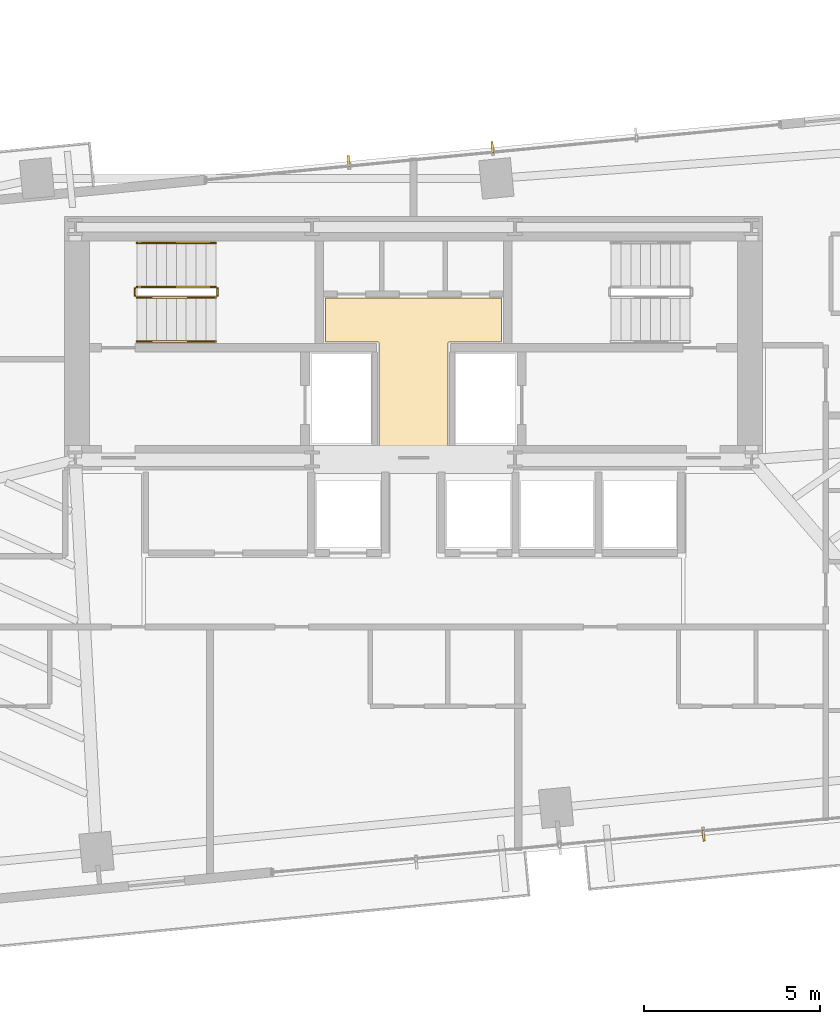
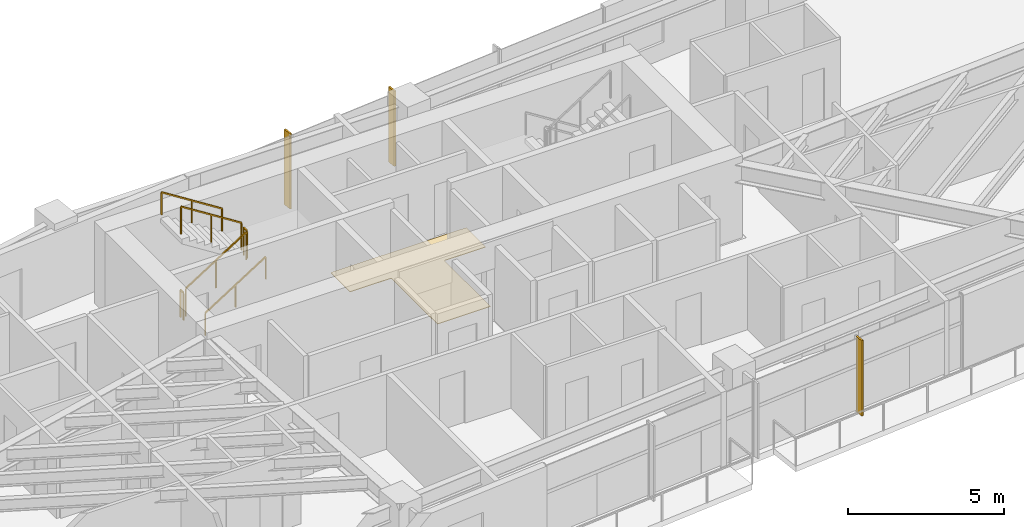
# One storey, part 26 of 27: 6 railings, 3 shading devices, 1 covering.
"""IFC4 building model written with IfcOpenShell, lengths in metres."""

from ifc_helpers import new_model, si_unit, direction, frame, origin, origin_2d, place, context, subcontext, project, spatial, polyline, rectangle, outline, extrude, source, transform, mapped, material, layer, layer_set, type_object, type_shapes, element, save


model = new_model("IFC4")

# Units and contexts
model_context = context("Model", 3, precision=1e-05, world=origin(), true_north=direction((0.0, 1.0)))
body_context = subcontext(model_context, "Body", "Model", "MODEL_VIEW")
ifc_project = project(units=[si_unit("LENGTHUNIT", "METRE"), si_unit("AREAUNIT", "SQUARE_METRE"), si_unit("VOLUMEUNIT", "CUBIC_METRE"), si_unit("PLANEANGLEUNIT", "RADIAN"), si_unit("MASSUNIT", "GRAM", prefix="KILO")], contexts=[model_context])

# Site, building, storey
site_placement = place(None, origin())
site = spatial("IfcSite", under=ifc_project, at=site_placement, CompositionType="ELEMENT")
building_placement = place(site_placement, origin())
building = spatial("IfcBuilding", under=site, at=building_placement, Name="Astriad Promenade Condominiums", CompositionType="ELEMENT")
storey_placement = place(building_placement, frame((0.0, 0.0, 109.800048828125)))
storey = spatial("IfcBuildingStorey", under=building, at=storey_placement, Name="L31", CompositionType="ELEMENT", Elevation=109.800048828125)

# Covering
ifc_material_1 = material(Name="Polished Lakefront Terrazzo Flooring")
ifc_layer = layer(ifc_material_1, 0.02001953125)
ifc_layer_set = layer_set([ifc_layer], Name="Polished Lakefront Terrazzo Flooring")
covering_type = type_object("IfcCoveringType", Name="COV-FLOR-TERRAZZO-20", PredefinedType="FLOORING", material=ifc_layer_set)
covering_placement = place(storey_placement, origin())
element("IfcCovering", 1, at=covering_placement, inside=storey, type_object=covering_type, Name="FLR-L31-CSL", PredefinedType="FLOORING", context=body_context, shape_type="SweptSolid", body=[
    extrude(outline(polyline([(36.97998046875, 20.699951171875), (36.97998046875, 17.7900390625), (35.02001953125, 17.7900390625), (35.02001953125, 20.699951171875), (35.019775390625, 20.703857421875), (35.019287109375, 20.707763671875), (35.018310546875, 20.711669921875), (35.01708984375, 20.71533203125), (35.015380859375, 20.718994140625), (35.01318359375, 20.72216796875), (35.010986328125, 20.725341796875), (35.00830078125, 20.728271484375), (35.00537109375, 20.73095703125), (35.002197265625, 20.7333984375), (34.998779296875, 20.7353515625), (34.995361328125, 20.737060546875), (34.99169921875, 20.73828125), (34.98779296875, 20.7392578125), (34.98388671875, 20.73974609375), (34.97998046875, 20.739990234375), (33.5, 20.739990234375), (33.5, 21.97998046875), (38.5, 21.97998046875), (38.5, 20.739990234375), (37.02001953125, 20.739990234375), (37.01611328125, 20.73974609375), (37.01220703125, 20.7392578125), (37.00830078125, 20.73828125), (37.004638671875, 20.737060546875), (37.001220703125, 20.7353515625), (36.997802734375, 20.7333984375), (36.99462890625, 20.73095703125), (36.99169921875, 20.728271484375), (36.989013671875, 20.725341796875), (36.98681640625, 20.72216796875), (36.984619140625, 20.718994140625), (36.98291015625, 20.71533203125), (36.981689453125, 20.711669921875), (36.980712890625, 20.707763671875), (36.980224609375, 20.703857421875), (36.97998046875, 20.699951171875)])), origin(), (0.0, 0.0, 1.0), 0.02001953125),
])

# Shading devices
ifc_material_2 = material(Name="Anodised aluminium 6063-T6 Black Fin", Category="aluminium")
shading_device_type = type_object("IfcShadingDeviceType", Name="FIN-BLACK-320", PredefinedType="USERDEFINED", material=ifc_material_2)
shared_shape_1 = source(origin(), body_context, "Body", "SweptSolid", [
    extrude(rectangle(XDim=0.06494140625, YDim=0.320068359375, at=origin_2d()), origin(), (0.0, 0.0, 1.0), 2.93994140625),
])
type_shapes(shading_device_type, [shared_shape_1])
for number, where, z_axis, x_axis, name in (
    (2, (34.164306640625, 25.87158203125, 0.0), (0.0, 0.0, 1.0), (0.995396198367, 0.09584575252, 0.0), "CW-L31-N-FIN-01"),
    (3, (38.240478515625, 26.263916015625, 0.0), (0.0, 0.0, 1.0), (0.995396198367, 0.09584575252, 0.0), "CW-L31-N-FIN-02"),
    (4, (44.235595703125, 6.728515625, 0.0), (0.0, 0.0, 1.0), (-0.995396198367, -0.09584575252, 0.0), "CW-L31-S-FIN-01"),
):
    element("IfcShadingDevice", number, at=place(storey_placement, frame(where, z_axis=z_axis, x_axis=x_axis)), inside=storey, type_object=shading_device_type, Name=name, ObjectType="FIN", PredefinedType="USERDEFINED", context=body_context, shape_type="MappedRepresentation", body=[
        mapped(shared_shape_1, transform((0.0, 0.0, 0.0), scale=1.0)),
    ])

# Railings
ifc_material_3 = material(Name="Painted Galvanised Steel Guardrail", Category="steel")
railing_type_1 = type_object("IfcRailingType", Name="GRD-STAIR-1100", PredefinedType="GUARDRAIL", material=ifc_material_3)
shared_shape_2 = source(origin(), body_context, "Body", "SweptSolid", [
    extrude(rectangle(XDim=0.048095703125, YDim=0.048095703125, at=origin_2d()), frame((0.0, 0.0, 1.076171875), z_axis=(0.0, 1.0, 0.0), x_axis=(-1.0, 0.0, 0.0)), (0.0, 0.0, 1.0), 0.199951171875),
    extrude(rectangle(XDim=0.0419921875, YDim=0.0419921875, at=origin_2d()), origin(), (0.0, 0.0, 1.0), 1.052001953125),
    extrude(rectangle(XDim=0.0419921875, YDim=0.0419921875, at=origin_2d()), frame((0.0, 0.199951171875, 0.0)), (0.0, 0.0, 1.0), 1.052001953125),
])
for number, where, name in (
    (5, (30.43994140625, 22.050048828125, 1.599853515625), "L31 ST-1 stair guard 2"),
    (6, (28.10009765625, 22.050048828125, 0.0), "L31 ST-1 stair guard 4"),
):
    element("IfcRailing", number, at=place(storey_placement, frame(where)), inside=storey, type_object=railing_type_1, Name=name, PredefinedType="GUARDRAIL", context=body_context, shape_type="MappedRepresentation", body=[
        mapped(shared_shape_2, transform((0.0, 0.0, 0.0), scale=1.0)),
    ])
shared_shape_3 = source(origin(), body_context, "Body", "SweptSolid", [
    extrude(rectangle(XDim=0.048095703125, YDim=0.048095703125, at=origin_2d()), frame((0.0, 0.0, 1.076171875), z_axis=(-0.8442293374, 0.0, 0.53598211339), x_axis=(0.0, -1.0, 0.0)), (0.0, 0.0, 1.0), 2.6533203125),
    extrude(rectangle(XDim=0.0419921875, YDim=0.0419921875, at=origin_2d()), origin(), (0.0, 0.0, 1.0), 1.052001953125),
    extrude(rectangle(XDim=0.0419921875, YDim=0.0419921875, at=origin_2d()), frame((-1.1201171875, 0.0, 0.7109375)), (0.0, 0.0, 1.0), 1.052001953125),
    extrude(rectangle(XDim=0.0419921875, YDim=0.0419921875, at=origin_2d()), frame((-2.239990234375, 0.0, 1.422119140625)), (0.0, 0.0, 1.0), 1.052001953125),
])
railing_1_placement = place(storey_placement, frame((30.389892578125, 22.300048828125, 1.77783203125)))
element("IfcRailing", 7, at=railing_1_placement, inside=storey, type_object=railing_type_1, Name="L31 ST-1 stair guard 3", PredefinedType="GUARDRAIL", context=body_context, shape_type="MappedRepresentation", body=[
    mapped(shared_shape_3, transform((0.0, 0.0, 0.0), scale=1.0)),
])
ifc_material_4 = material(Name="Brushed Stainless Steel Handrail", Category="steel")
railing_type_2 = type_object("IfcRailingType", Name="HRL-STAIR-920", PredefinedType="HANDRAIL", material=ifc_material_4)
shared_shape_4 = source(origin(), body_context, "Body", "SweptSolid", [
    extrude(rectangle(XDim=0.048095703125, YDim=0.048095703125, at=origin_2d()), frame((0.0, 0.0, 0.8759765625), z_axis=(-0.8442293374, 0.0, 0.53598211339), x_axis=(0.0, -1.0, 0.0)), (0.0, 0.0, 1.0), 2.6533203125),
    extrude(rectangle(XDim=0.0419921875, YDim=0.0419921875, at=origin_2d()), origin(), (0.0, 0.0, 1.0), 0.851806640625),
    extrude(rectangle(XDim=0.0419921875, YDim=0.0419921875, at=origin_2d()), frame((-1.1201171875, 0.0, 0.7109375)), (0.0, 0.0, 1.0), 0.851806640625),
    extrude(rectangle(XDim=0.0419921875, YDim=0.0419921875, at=origin_2d()), frame((-2.239990234375, 0.0, 1.422119140625)), (0.0, 0.0, 1.0), 0.851806640625),
])
railing_2_placement = place(storey_placement, frame((30.389892578125, 23.550048828125, 1.77783203125)))
element("IfcRailing", 8, at=railing_2_placement, inside=storey, type_object=railing_type_2, Name="L31 ST-1 stair handrail 2", PredefinedType="HANDRAIL", context=body_context, shape_type="MappedRepresentation", body=[
    mapped(shared_shape_4, transform((0.0, 0.0, 0.0), scale=1.0)),
])
shared_shape_5 = source(origin(), body_context, "Body", "SweptSolid", [
    extrude(rectangle(XDim=0.048095703125, YDim=0.048095703125, at=origin_2d()), frame((0.0, 0.0, 1.076171875), z_axis=(0.8442293374, 0.0, 0.53598211339), x_axis=(0.0, 1.0, 0.0)), (0.0, 0.0, 1.0), 2.6533203125),
    extrude(rectangle(XDim=0.0419921875, YDim=0.0419921875, at=origin_2d()), origin(), (0.0, 0.0, 1.0), 1.052001953125),
    extrude(rectangle(XDim=0.0419921875, YDim=0.0419921875, at=origin_2d()), frame((1.1201171875, 0.0, 0.7109375)), (0.0, 0.0, 1.0), 1.052001953125),
    extrude(rectangle(XDim=0.0419921875, YDim=0.0419921875, at=origin_2d()), frame((2.239990234375, 0.0, 1.422119140625)), (0.0, 0.0, 1.0), 1.052001953125),
])
type_shapes(railing_type_1, [shared_shape_2, shared_shape_3, shared_shape_5])
railing_3_placement = place(storey_placement, frame((28.14990234375, 22.0, 0.177734375)))
element("IfcRailing", 9, at=railing_3_placement, inside=storey, type_object=railing_type_1, Name="L31 ST-1 stair guard 1", PredefinedType="GUARDRAIL", context=body_context, shape_type="MappedRepresentation", body=[
    mapped(shared_shape_5, transform((0.0, 0.0, 0.0), scale=1.0)),
])
shared_shape_6 = source(origin(), body_context, "Body", "SweptSolid", [
    extrude(rectangle(XDim=0.048095703125, YDim=0.048095703125, at=origin_2d()), frame((0.0, 0.0, 0.8759765625), z_axis=(0.8442293374, 0.0, 0.53598211339), x_axis=(0.0, 1.0, 0.0)), (0.0, 0.0, 1.0), 2.6533203125),
    extrude(rectangle(XDim=0.0419921875, YDim=0.0419921875, at=origin_2d()), origin(), (0.0, 0.0, 1.0), 0.851806640625),
    extrude(rectangle(XDim=0.0419921875, YDim=0.0419921875, at=origin_2d()), frame((1.1201171875, 0.0, 0.7109375)), (0.0, 0.0, 1.0), 0.851806640625),
    extrude(rectangle(XDim=0.0419921875, YDim=0.0419921875, at=origin_2d()), frame((2.239990234375, 0.0, 1.422119140625)), (0.0, 0.0, 1.0), 0.851806640625),
])
type_shapes(railing_type_2, [shared_shape_4, shared_shape_6])
railing_4_placement = place(storey_placement, frame((28.14990234375, 20.75, 0.177734375)))
element("IfcRailing", 10, at=railing_4_placement, inside=storey, type_object=railing_type_2, Name="L31 ST-1 stair handrail 1", PredefinedType="HANDRAIL", context=body_context, shape_type="MappedRepresentation", body=[
    mapped(shared_shape_6, transform((0.0, 0.0, 0.0), scale=1.0)),
])

save(model, "model.ifc")
